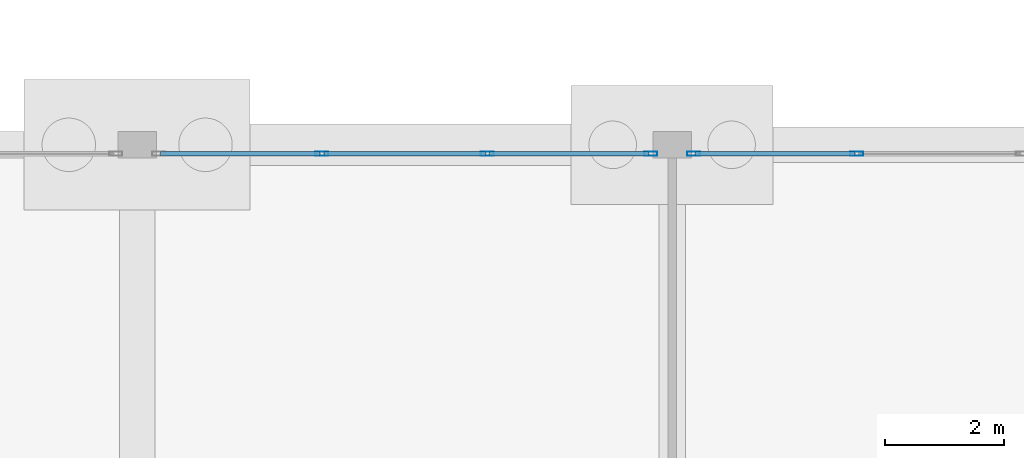
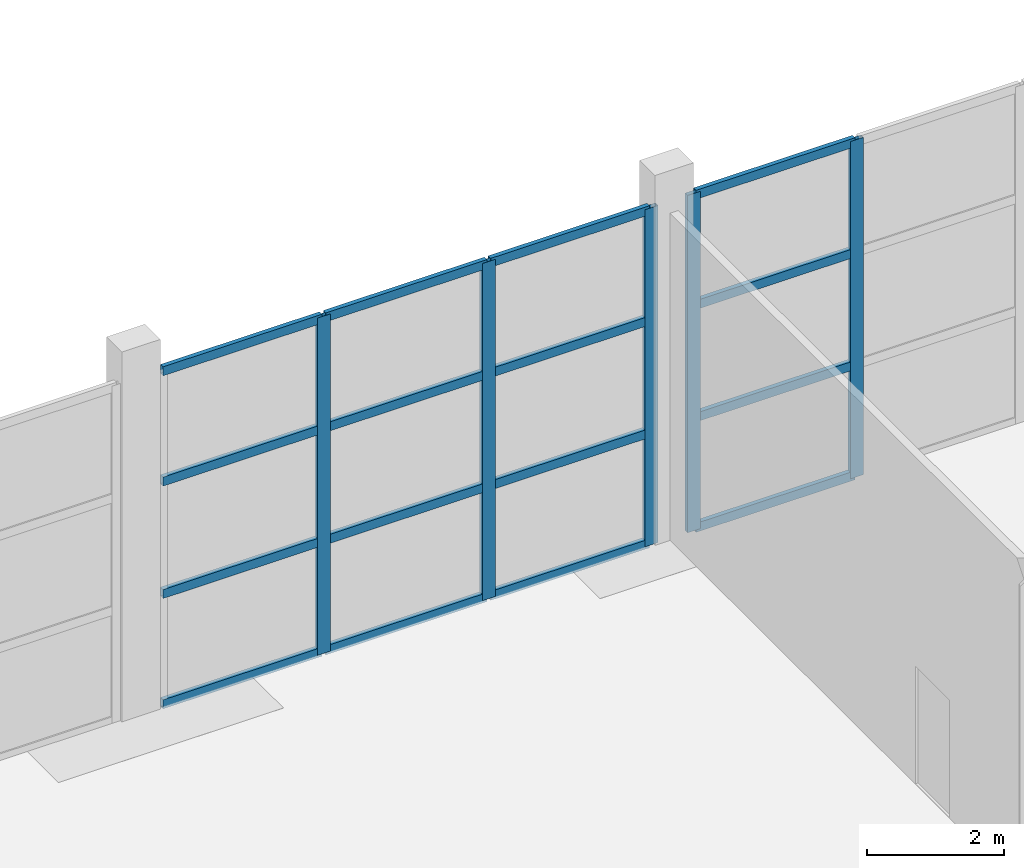
# One storey, part 54 of 115: 21 members, 2 elements without a shape of their own.
"""IFC4 building model written with IfcOpenShell, lengths in metres."""

from ifc_helpers import new_model, si_unit, direction, frame, origin, origin_2d, place, context, subcontext, project, spatial, hollow_rectangle, extrude, material, layer, layer_set, material_profile, profile_set, type_object, element, aggregate, save


model = new_model("IFC4")

# Units and contexts
model_context = context("Model", 3, precision=1e-05, world=origin(), true_north=direction((0.0, 1.0)))
body_context = subcontext(model_context, "Body", "Model", "MODEL_VIEW")
ifc_project = project(units=[si_unit("LENGTHUNIT", "METRE"), si_unit("AREAUNIT", "SQUARE_METRE"), si_unit("VOLUMEUNIT", "CUBIC_METRE"), si_unit("PLANEANGLEUNIT", "RADIAN"), si_unit("MASSUNIT", "GRAM", prefix="KILO")], contexts=[model_context])

# Site, building, storey
site_placement = place(None, origin())
site = spatial("IfcSite", under=ifc_project, at=site_placement, CompositionType="ELEMENT")
building_placement = place(site_placement, origin())
building = spatial("IfcBuilding", under=site, at=building_placement, Name="Tamarisk Ironworks Central Station", CompositionType="ELEMENT")
storey_placement = place(building_placement, origin())
storey = spatial("IfcBuildingStorey", under=building, at=storey_placement, Name="L00", CompositionType="ELEMENT", Elevation=0.0)

# Curtain wall, members
ifc_material = material(Name="Anodized aluminium alloy 6063-T6", Category="aluminium")
ifc_layer = layer(ifc_material, 0.179931640625)
ifc_layer_set = layer_set([ifc_layer], Name="Anodized aluminium alloy 6063-T6")
curtain_wall_type = type_object("IfcCurtainWallType", Name="CW-12", PredefinedType="USERDEFINED", material=ifc_layer_set)
curtain_wall_1_placement = place(storey_placement, origin())
curtain_wall_1 = element("IfcCurtainWall", 1, at=curtain_wall_1_placement, inside=storey, type_object=curtain_wall_type, Name="Pavilion L00 N glazed arcade 18", ObjectType="GLAZED CURTAIN WALL", PredefinedType="USERDEFINED")
ifc_material_profile_1 = material_profile(ifc_material, hollow_rectangle(XDim=0.074951171875, YDim=0.219970703125, WallThickness=0.00390625, at=origin_2d()), Name="ALUM 220x75")
ifc_profile_set_1 = profile_set([ifc_material_profile_1], Name="Anodized aluminium alloy 6063-T6")
member_type_1 = type_object("IfcMemberType", Name="CWM-01", PredefinedType="MULLION", material=ifc_profile_set_1)
member_1_placement = place(storey_placement, frame((21.107666015625, 122.25, 0.0), z_axis=(0.0, 0.0, 1.0), x_axis=(0.0, 1.0, 0.0)))
member_1 = element("IfcMember", 2, at=member_1_placement, type_object=member_type_1, Name="CW12 mullion 2", PredefinedType="MULLION", context=body_context, shape_type="SweptSolid", body=[
    extrude(hollow_rectangle(XDim=0.074951171875, YDim=0.219970703125, WallThickness=0.00390625, at=origin_2d()), origin(), (0.0, 0.0, 1.0), 6.02001953125),
])
member_2_placement = place(storey_placement, frame((23.892333984375, 122.25, 0.0), z_axis=(0.0, 0.0, 1.0), x_axis=(0.0, 1.0, 0.0)))
member_2 = element("IfcMember", 3, at=member_2_placement, type_object=member_type_1, Name="CW12 mullion 3", PredefinedType="MULLION", context=body_context, shape_type="SweptSolid", body=[
    extrude(hollow_rectangle(XDim=0.074951171875, YDim=0.219970703125, WallThickness=0.00390625, at=origin_2d()), origin(), (0.0, 0.0, 1.0), 6.02001953125),
])
member_3_placement = place(storey_placement, frame((26.639404296875, 122.25, 0.0), z_axis=(0.0, 0.0, 1.0), x_axis=(0.0, 1.0, 0.0)))
member_3 = element("IfcMember", 4, at=member_3_placement, type_object=member_type_1, Name="CW12 mullion 4", PredefinedType="MULLION", context=body_context, shape_type="SweptSolid", body=[
    extrude(hollow_rectangle(XDim=0.074951171875, YDim=0.219970703125, WallThickness=0.00390625, at=origin_2d()), origin(), (0.0, 0.0, 1.0), 6.02001953125),
])

curtain_wall_2_placement = place(storey_placement, origin())
curtain_wall_2 = element("IfcCurtainWall", 5, at=curtain_wall_2_placement, inside=storey, type_object=curtain_wall_type, Name="Pavilion L00 N glazed arcade 27", ObjectType="GLAZED CURTAIN WALL", PredefinedType="USERDEFINED")
member_4_placement = place(storey_placement, frame((27.360595703125, 122.25, 0.0), z_axis=(0.0, 0.0, 1.0), x_axis=(0.0, 1.0, 0.0)))
member_4 = element("IfcMember", 6, at=member_4_placement, type_object=member_type_1, Name="CW12 mullion 1", PredefinedType="MULLION", context=body_context, shape_type="SweptSolid", body=[
    extrude(hollow_rectangle(XDim=0.074951171875, YDim=0.219970703125, WallThickness=0.00390625, at=origin_2d()), origin(), (0.0, 0.0, 1.0), 6.02001953125),
])
member_5_placement = place(storey_placement, frame((30.107666015625, 122.25, 0.0), z_axis=(0.0, 0.0, 1.0), x_axis=(0.0, 1.0, 0.0)))
member_5 = element("IfcMember", 7, at=member_5_placement, type_object=member_type_1, Name="CW12 mullion 2", PredefinedType="MULLION", context=body_context, shape_type="SweptSolid", body=[
    extrude(hollow_rectangle(XDim=0.074951171875, YDim=0.219970703125, WallThickness=0.00390625, at=origin_2d()), origin(), (0.0, 0.0, 1.0), 6.02001953125),
])

# Member
ifc_material_profile_2 = material_profile(ifc_material, hollow_rectangle(XDim=0.074951171875, YDim=0.159912109375, WallThickness=0.00390625, at=origin_2d()), Name="ALUM 160x75")
ifc_profile_set_2 = profile_set([ifc_material_profile_2], Name="Anodized aluminium alloy 6063-T6")
member_type_2 = type_object("IfcMemberType", Name="CWT-01", PredefinedType="USERDEFINED", material=ifc_profile_set_2)
member_6_placement = place(storey_placement, frame((18.39404296875, 122.25, 0.03759765625), z_axis=(1.0, 0.0, 0.0), x_axis=(0.0, 1.0, 0.0)))
member_6 = element("IfcMember", 8, at=member_6_placement, type_object=member_type_2, Name="CW12 transom 1.1", ObjectType="TRANSOM", PredefinedType="USERDEFINED", context=body_context, shape_type="SweptSolid", body=[
    extrude(hollow_rectangle(XDim=0.074951171875, YDim=0.159912109375, WallThickness=0.00390625, at=origin_2d()), origin(), (0.0, 0.0, 1.0), 2.68017578125),
])

member_7_placement = place(storey_placement, frame((18.39404296875, 122.25, 2.006591796875), z_axis=(1.0, 0.0, 0.0), x_axis=(0.0, 1.0, 0.0)))
member_7 = element("IfcMember", 9, at=member_7_placement, type_object=member_type_2, Name="CW12 transom 1.2", ObjectType="TRANSOM", PredefinedType="USERDEFINED", context=body_context, shape_type="SweptSolid", body=[
    extrude(hollow_rectangle(XDim=0.074951171875, YDim=0.159912109375, WallThickness=0.00390625, at=origin_2d()), origin(), (0.0, 0.0, 1.0), 2.68017578125),
])

member_8_placement = place(storey_placement, frame((18.39404296875, 122.25, 4.01318359375), z_axis=(1.0, 0.0, 0.0), x_axis=(0.0, 1.0, 0.0)))
member_8 = element("IfcMember", 10, at=member_8_placement, type_object=member_type_2, Name="CW12 transom 1.3", ObjectType="TRANSOM", PredefinedType="USERDEFINED", context=body_context, shape_type="SweptSolid", body=[
    extrude(hollow_rectangle(XDim=0.074951171875, YDim=0.159912109375, WallThickness=0.00390625, at=origin_2d()), origin(), (0.0, 0.0, 1.0), 2.68017578125),
])

member_9_placement = place(storey_placement, frame((18.39404296875, 122.25, 5.982421875), z_axis=(1.0, 0.0, 0.0), x_axis=(0.0, 1.0, 0.0)))
member_9 = element("IfcMember", 11, at=member_9_placement, type_object=member_type_2, Name="CW12 transom 1.4", ObjectType="TRANSOM", PredefinedType="USERDEFINED", context=body_context, shape_type="SweptSolid", body=[
    extrude(hollow_rectangle(XDim=0.074951171875, YDim=0.159912109375, WallThickness=0.00390625, at=origin_2d()), origin(), (0.0, 0.0, 1.0), 2.68017578125),
])

member_10_placement = place(storey_placement, frame((21.14111328125, 122.25, 0.03759765625), z_axis=(1.0, 0.0, 0.0), x_axis=(0.0, 1.0, 0.0)))
member_10 = element("IfcMember", 12, at=member_10_placement, type_object=member_type_2, Name="CW12 transom 2.1", ObjectType="TRANSOM", PredefinedType="USERDEFINED", context=body_context, shape_type="SweptSolid", body=[
    extrude(hollow_rectangle(XDim=0.074951171875, YDim=0.159912109375, WallThickness=0.00390625, at=origin_2d()), origin(), (0.0, 0.0, 1.0), 2.7177734375),
])

member_11_placement = place(storey_placement, frame((21.14111328125, 122.25, 2.006591796875), z_axis=(1.0, 0.0, 0.0), x_axis=(0.0, 1.0, 0.0)))
member_11 = element("IfcMember", 13, at=member_11_placement, type_object=member_type_2, Name="CW12 transom 2.2", ObjectType="TRANSOM", PredefinedType="USERDEFINED", context=body_context, shape_type="SweptSolid", body=[
    extrude(hollow_rectangle(XDim=0.074951171875, YDim=0.159912109375, WallThickness=0.00390625, at=origin_2d()), origin(), (0.0, 0.0, 1.0), 2.7177734375),
])

member_12_placement = place(storey_placement, frame((21.14111328125, 122.25, 4.01318359375), z_axis=(1.0, 0.0, 0.0), x_axis=(0.0, 1.0, 0.0)))
member_12 = element("IfcMember", 14, at=member_12_placement, type_object=member_type_2, Name="CW12 transom 2.3", ObjectType="TRANSOM", PredefinedType="USERDEFINED", context=body_context, shape_type="SweptSolid", body=[
    extrude(hollow_rectangle(XDim=0.074951171875, YDim=0.159912109375, WallThickness=0.00390625, at=origin_2d()), origin(), (0.0, 0.0, 1.0), 2.7177734375),
])

member_13_placement = place(storey_placement, frame((21.14111328125, 122.25, 5.982421875), z_axis=(1.0, 0.0, 0.0), x_axis=(0.0, 1.0, 0.0)))
member_13 = element("IfcMember", 15, at=member_13_placement, type_object=member_type_2, Name="CW12 transom 2.4", ObjectType="TRANSOM", PredefinedType="USERDEFINED", context=body_context, shape_type="SweptSolid", body=[
    extrude(hollow_rectangle(XDim=0.074951171875, YDim=0.159912109375, WallThickness=0.00390625, at=origin_2d()), origin(), (0.0, 0.0, 1.0), 2.7177734375),
])

member_14_placement = place(storey_placement, frame((23.92578125, 122.25, 0.03759765625), z_axis=(1.0, 0.0, 0.0), x_axis=(0.0, 1.0, 0.0)))
member_14 = element("IfcMember", 16, at=member_14_placement, type_object=member_type_2, Name="CW12 transom 3.1", ObjectType="TRANSOM", PredefinedType="USERDEFINED", context=body_context, shape_type="SweptSolid", body=[
    extrude(hollow_rectangle(XDim=0.074951171875, YDim=0.159912109375, WallThickness=0.00390625, at=origin_2d()), origin(), (0.0, 0.0, 1.0), 2.68017578125),
])

member_15_placement = place(storey_placement, frame((23.92578125, 122.25, 2.006591796875), z_axis=(1.0, 0.0, 0.0), x_axis=(0.0, 1.0, 0.0)))
member_15 = element("IfcMember", 17, at=member_15_placement, type_object=member_type_2, Name="CW12 transom 3.2", ObjectType="TRANSOM", PredefinedType="USERDEFINED", context=body_context, shape_type="SweptSolid", body=[
    extrude(hollow_rectangle(XDim=0.074951171875, YDim=0.159912109375, WallThickness=0.00390625, at=origin_2d()), origin(), (0.0, 0.0, 1.0), 2.68017578125),
])

member_16_placement = place(storey_placement, frame((23.92578125, 122.25, 4.01318359375), z_axis=(1.0, 0.0, 0.0), x_axis=(0.0, 1.0, 0.0)))
member_16 = element("IfcMember", 18, at=member_16_placement, type_object=member_type_2, Name="CW12 transom 3.3", ObjectType="TRANSOM", PredefinedType="USERDEFINED", context=body_context, shape_type="SweptSolid", body=[
    extrude(hollow_rectangle(XDim=0.074951171875, YDim=0.159912109375, WallThickness=0.00390625, at=origin_2d()), origin(), (0.0, 0.0, 1.0), 2.68017578125),
])

member_17_placement = place(storey_placement, frame((23.92578125, 122.25, 5.982421875), z_axis=(1.0, 0.0, 0.0), x_axis=(0.0, 1.0, 0.0)))
member_17 = element("IfcMember", 19, at=member_17_placement, type_object=member_type_2, Name="CW12 transom 3.4", ObjectType="TRANSOM", PredefinedType="USERDEFINED", context=body_context, shape_type="SweptSolid", body=[
    extrude(hollow_rectangle(XDim=0.074951171875, YDim=0.159912109375, WallThickness=0.00390625, at=origin_2d()), origin(), (0.0, 0.0, 1.0), 2.68017578125),
])

aggregate(curtain_wall_1, [member_1, member_2, member_3, member_6, member_7, member_8, member_9, member_10, member_11, member_12, member_13, member_14, member_15, member_16, member_17])

member_18_placement = place(storey_placement, frame((27.39404296875, 122.25, 0.03759765625), z_axis=(1.0, 0.0, 0.0), x_axis=(0.0, 1.0, 0.0)))
member_18 = element("IfcMember", 20, at=member_18_placement, type_object=member_type_2, Name="CW12 transom 1.1", ObjectType="TRANSOM", PredefinedType="USERDEFINED", context=body_context, shape_type="SweptSolid", body=[
    extrude(hollow_rectangle(XDim=0.074951171875, YDim=0.159912109375, WallThickness=0.00390625, at=origin_2d()), origin(), (0.0, 0.0, 1.0), 2.68017578125),
])

member_19_placement = place(storey_placement, frame((27.39404296875, 122.25, 2.006591796875), z_axis=(1.0, 0.0, 0.0), x_axis=(0.0, 1.0, 0.0)))
member_19 = element("IfcMember", 21, at=member_19_placement, type_object=member_type_2, Name="CW12 transom 1.2", ObjectType="TRANSOM", PredefinedType="USERDEFINED", context=body_context, shape_type="SweptSolid", body=[
    extrude(hollow_rectangle(XDim=0.074951171875, YDim=0.159912109375, WallThickness=0.00390625, at=origin_2d()), origin(), (0.0, 0.0, 1.0), 2.68017578125),
])

member_20_placement = place(storey_placement, frame((27.39404296875, 122.25, 4.01318359375), z_axis=(1.0, 0.0, 0.0), x_axis=(0.0, 1.0, 0.0)))
member_20 = element("IfcMember", 22, at=member_20_placement, type_object=member_type_2, Name="CW12 transom 1.3", ObjectType="TRANSOM", PredefinedType="USERDEFINED", context=body_context, shape_type="SweptSolid", body=[
    extrude(hollow_rectangle(XDim=0.074951171875, YDim=0.159912109375, WallThickness=0.00390625, at=origin_2d()), origin(), (0.0, 0.0, 1.0), 2.68017578125),
])

member_21_placement = place(storey_placement, frame((27.39404296875, 122.25, 5.982421875), z_axis=(1.0, 0.0, 0.0), x_axis=(0.0, 1.0, 0.0)))
member_21 = element("IfcMember", 23, at=member_21_placement, type_object=member_type_2, Name="CW12 transom 1.4", ObjectType="TRANSOM", PredefinedType="USERDEFINED", context=body_context, shape_type="SweptSolid", body=[
    extrude(hollow_rectangle(XDim=0.074951171875, YDim=0.159912109375, WallThickness=0.00390625, at=origin_2d()), origin(), (0.0, 0.0, 1.0), 2.68017578125),
])

aggregate(curtain_wall_2, [member_4, member_5, member_18, member_19, member_20, member_21])

save(model, "model.ifc")
